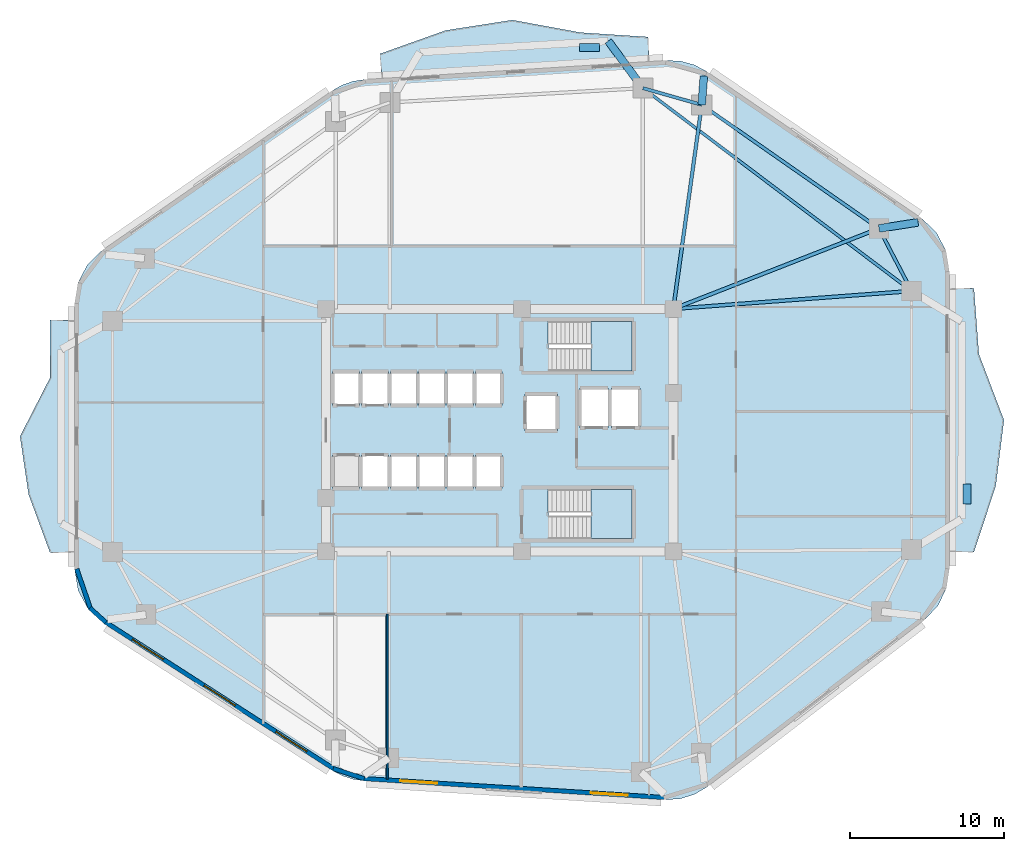
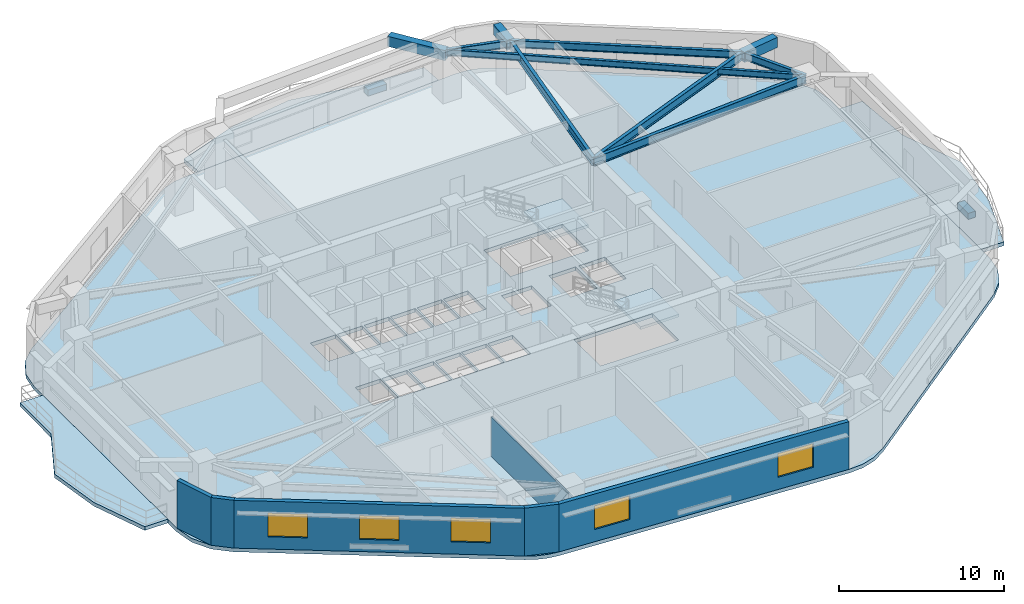
# One storey, part 2 of 10: 10 beams, 6 slabs, 6 walls, 5 windows, 2 plates, 5 openings, 2 elements without a shape of their own.
"""IFC4 building model written with IfcOpenShell, lengths in metres."""

from ifc_helpers import new_model, si_unit, direction, frame, frame_2d, origin, origin_2d, place, context, subcontext, project, spatial, polyline, rectangle, i_section, outline, extrude, material, layer, layer_set, material_profile, profile_set, type_object, element, fill, aggregate, save


model = new_model("IFC4")

# Units and contexts
model_context = context("Model", 3, precision=1e-05, world=origin(), true_north=direction((0.0, 1.0)))
body_context = subcontext(model_context, "Body", "Model", "MODEL_VIEW")
ifc_project = project(units=[si_unit("LENGTHUNIT", "METRE"), si_unit("AREAUNIT", "SQUARE_METRE"), si_unit("VOLUMEUNIT", "CUBIC_METRE"), si_unit("PLANEANGLEUNIT", "RADIAN"), si_unit("MASSUNIT", "GRAM", prefix="KILO")], contexts=[model_context])

# Site, building, storey
site_placement = place(None, origin())
site = spatial("IfcSite", under=ifc_project, at=site_placement, CompositionType="ELEMENT")
building_placement = place(site_placement, origin())
building = spatial("IfcBuilding", under=site, at=building_placement, Name="Zulverin Broadcast Headquarters", CompositionType="ELEMENT")
storey_placement = place(building_placement, frame((0.0, 0.0, 66.800048828125)))
storey = spatial("IfcBuildingStorey", under=building, at=storey_placement, Name="L16", CompositionType="ELEMENT", Elevation=66.800048828125)

# Beams
ifc_material_1 = material(Name="Concrete C40/50", Category="concrete")
ifc_material_profile_1 = material_profile(ifc_material_1, rectangle(XDim=0.5, YDim=0.75, at=origin_2d()), Name="Concrete C40/50", Category="concrete")
ifc_profile_set_1 = profile_set([ifc_material_profile_1], Name="Concrete C40/50")
beam_type_1 = type_object("IfcBeamType", Name="BM-RC-500x750", PredefinedType="BEAM", material=ifc_profile_set_1)
beam_1_placement = place(storey_placement, frame((61.630126953125, 38.298583984375, 3.14990234375), z_axis=(0.988133444256, 0.153597839639, 0.0), x_axis=(-0.153597839639, 0.988133444256, 0.0)))
element("IfcBeam", 1, at=beam_1_placement, inside=storey, type_object=beam_type_1, Name="L17 Plate Overhang Back-Spanned Beam OVR-07", PredefinedType="BEAM", context=body_context, shape_type="SweptSolid", body=[
    extrude(rectangle(XDim=0.5, YDim=0.75, at=origin_2d()), origin(), (0.0, 0.0, 1.0), 2.57177734375),
])
beam_2_placement = place(storey_placement, frame((50.121826171875, 46.325927734375, 3.14990234375), z_axis=(0.073023006252, 0.997330256514, 0.0), x_axis=(-0.997330256514, 0.073023006252, 0.0)))
element("IfcBeam", 2, at=beam_2_placement, inside=storey, type_object=beam_type_1, Name="L17 Plate Overhang Back-Spanned Beam OVR-08", PredefinedType="BEAM", context=body_context, shape_type="SweptSolid", body=[
    extrude(rectangle(XDim=0.5, YDim=0.75, at=origin_2d()), origin(), (0.0, 0.0, 1.0), 1.875732421875),
])
beam_3_placement = place(storey_placement, frame((46.30224609375, 47.4091796875, 3.14990234375), z_axis=(-0.592925064887, 0.805257640404, 0.0), x_axis=(-0.805257640404, -0.592925064887, 0.0)))
element("IfcBeam", 3, at=beam_3_placement, inside=storey, type_object=beam_type_1, Name="L17 Balcony Column-Framed Cantilever BAL_N-1", PredefinedType="BEAM", context=body_context, shape_type="SweptSolid", body=[
    extrude(rectangle(XDim=0.5, YDim=0.75, at=origin_2d()), origin(), (0.0, 0.0, 1.0), 3.800048828125),
])
ifc_material_2 = material(Name="Structural steel S355JR", Category="steel")
ifc_material_profile_2 = material_profile(ifc_material_2, i_section(OverallWidth=0.19287109375, OverallDepth=0.46728515625, WebThickness=0.011474609375, FlangeThickness=0.01953125, at=origin_2d()), Name="Structural steel S355JR", Category="steel")
ifc_profile_set_2 = profile_set([ifc_material_profile_2], Name="Structural steel S355JR")
beam_type_2 = type_object("IfcBeamType", Name="BM-UB-457", PredefinedType="JOIST", material=ifc_profile_set_2)
beam_4_placement = place(storey_placement, frame((63.75, 34.235107421875, 3.291259765625), z_axis=(-0.798058136838, 0.602580459546, 0.0), x_axis=(-0.602580459546, -0.798058136838, 0.0)))
element("IfcBeam", 4, at=beam_4_placement, inside=storey, type_object=beam_type_2, Name="L16 Chordal Floor Joist J-02", PredefinedType="JOIST", context=body_context, shape_type="SweptSolid", body=[
    extrude(i_section(OverallWidth=0.19287109375, OverallDepth=0.46728515625, WebThickness=0.011474609375, FlangeThickness=0.01953125, at=origin_2d()), origin(), (0.0, 0.0, 1.0), 21.86279296875),
])
ifc_material_profile_3 = material_profile(ifc_material_2, i_section(OverallWidth=0.2119140625, OverallDepth=0.54443359375, WebThickness=0.0126953125, FlangeThickness=0.021240234375, at=origin_2d()), Name="Structural steel S355JR", Category="steel")
ifc_profile_set_3 = profile_set([ifc_material_profile_3], Name="Structural steel S355JR")
beam_type_3 = type_object("IfcBeamType", Name="BM-UB-533", PredefinedType="SPANDREL", material=ifc_profile_set_3)
beam_5_placement = place(storey_placement, frame((63.75, 34.235107421875, 3.252685546875), z_axis=(-0.462531417359, 0.886602891917, 0.0), x_axis=(-0.886602891917, -0.462531417359, 0.0)))
element("IfcBeam", 5, at=beam_5_placement, inside=storey, type_object=beam_type_3, Name="L16 Perimeter Spandrel Beam SP-06", PredefinedType="SPANDREL", context=body_context, shape_type="SweptSolid", body=[
    extrude(i_section(OverallWidth=0.2119140625, OverallDepth=0.54443359375, WebThickness=0.0126953125, FlangeThickness=0.021240234375, at=origin_2d()), origin(), (0.0, 0.0, 1.0), 4.583251953125),
])
beam_6_placement = place(storey_placement, frame((61.630126953125, 38.298583984375, 3.252685546875), z_axis=(-0.820183915206, 0.5720999434, 0.0), x_axis=(-0.5720999434, -0.820183915206, 0.0)))
element("IfcBeam", 6, at=beam_6_placement, inside=storey, type_object=beam_type_3, Name="L16 Perimeter Spandrel Beam SP-07", PredefinedType="SPANDREL", context=body_context, shape_type="SweptSolid", body=[
    extrude(i_section(OverallWidth=0.2119140625, OverallDepth=0.54443359375, WebThickness=0.0126953125, FlangeThickness=0.021240234375, at=origin_2d()), origin(), (0.0, 0.0, 1.0), 14.03125),
])
beam_7_placement = place(storey_placement, frame((50.121826171875, 46.325927734375, 3.252685546875), z_axis=(-0.962058150721, 0.272844487999, 0.0), x_axis=(-0.272844487999, -0.962058150721, 0.0)))
element("IfcBeam", 7, at=beam_7_placement, inside=storey, type_object=beam_type_3, Name="L16 Perimeter Spandrel Beam SP-08", PredefinedType="SPANDREL", context=body_context, shape_type="SweptSolid", body=[
    extrude(i_section(OverallWidth=0.2119140625, OverallDepth=0.54443359375, WebThickness=0.0126953125, FlangeThickness=0.021240234375, at=origin_2d()), origin(), (0.0, 0.0, 1.0), 3.97021484375),
])
ifc_material_profile_4 = material_profile(ifc_material_2, i_section(OverallWidth=0.230224609375, OverallDepth=0.6171875, WebThickness=0.01318359375, FlangeThickness=0.022216796875, at=origin_2d()), Name="Structural steel S355JR", Category="steel")
ifc_profile_set_4 = profile_set([ifc_material_profile_4], Name="Structural steel S355JR")
beam_type_4 = type_object("IfcBeamType", Name="BM-UB-610", PredefinedType="BEAM", material=ifc_profile_set_4)
beam_8_placement = place(storey_placement, frame((48.27490234375, 33.074951171875, 3.21630859375), z_axis=(0.997201597387, 0.074759442003, 0.0), x_axis=(-0.074759442003, 0.997201597387, 0.0)))
element("IfcBeam", 8, at=beam_8_placement, inside=storey, type_object=beam_type_4, Name="L16 Radial Primary Floor Beam RB-06", PredefinedType="BEAM", context=body_context, shape_type="SweptSolid", body=[
    extrude(i_section(OverallWidth=0.230224609375, OverallDepth=0.6171875, WebThickness=0.01318359375, FlangeThickness=0.022216796875, at=origin_2d()), origin(), (0.0, 0.0, 1.0), 15.5185546875),
])
beam_9_placement = place(storey_placement, frame((48.27490234375, 33.074951171875, 3.21630859375), z_axis=(0.931297778153, 0.364258765723, 0.0), x_axis=(-0.364258765723, 0.931297778153, 0.0)))
element("IfcBeam", 9, at=beam_9_placement, inside=storey, type_object=beam_type_4, Name="L16 Radial Primary Floor Beam RB-07", PredefinedType="BEAM", context=body_context, shape_type="SweptSolid", body=[
    extrude(i_section(OverallWidth=0.230224609375, OverallDepth=0.6171875, WebThickness=0.01318359375, FlangeThickness=0.022216796875, at=origin_2d()), origin(), (0.0, 0.0, 1.0), 14.34033203125),
])
beam_10_placement = place(storey_placement, frame((48.27490234375, 33.074951171875, 3.21630859375), z_axis=(0.138045758193, 0.990425852169, 0.0), x_axis=(-0.990425852169, 0.138045758193, 0.0)))
element("IfcBeam", 10, at=beam_10_placement, inside=storey, type_object=beam_type_4, Name="L16 Radial Primary Floor Beam RB-08", PredefinedType="BEAM", context=body_context, shape_type="SweptSolid", body=[
    extrude(i_section(OverallWidth=0.230224609375, OverallDepth=0.6171875, WebThickness=0.01318359375, FlangeThickness=0.022216796875, at=origin_2d()), origin(), (0.0, 0.0, 1.0), 13.379150390625),
])

# Plates
ifc_material_3 = material(Name="Precast concrete C45/55", Category="concrete")
ifc_layer_1 = layer(ifc_material_3, 0.449951171875, Name="Precast concrete C45/55", Category="concrete")
ifc_layer_set_1 = layer_set([ifc_layer_1], Name="Precast concrete C45/55")
plate_type = type_object("IfcPlateType", Name="PT-01_PRECAST_GFRC_TREE_PLANTER", PredefinedType="USERDEFINED", material=ifc_layer_set_1)
for number, where, z_axis, x_axis, name in (
    (11, (67.35009765625, 21.05224609375, -0.0048828125), (0.0, 0.0, 1.0), (0.0, 1.0, 0.0), "L16 Precast GFRC Tree Planter BAL_E"),
    (12, (42.825927734375, 50.04638671875, -0.0048828125), (0.0, 0.0, 1.0), (1.0, 0.0, 0.0), "L16 Precast GFRC Tree Planter BAL_N"),
):
    element("IfcPlate", number, at=place(storey_placement, frame(where, z_axis=z_axis, x_axis=x_axis)), inside=storey, type_object=plate_type, Name=name, ObjectType="PLANTER", PredefinedType="USERDEFINED", context=body_context, shape_type="SweptSolid", body=[
        extrude(rectangle(XDim=1.300048828125, YDim=0.5, at=origin_2d()), origin(), (0.0, 0.0, 1.0), 0.449951171875),
    ])

# Slabs
ifc_layer_2 = layer(ifc_material_1, 0.27490234375, Name="Concrete C40/50", Category="concrete")
ifc_layer_set_2 = layer_set([ifc_layer_2], Name="Concrete C40/50")
slab_type_1 = type_object("IfcSlabType", Name="SLB-BAL-275", PredefinedType="FLOOR", material=ifc_layer_set_2)
slab_1_placement = place(storey_placement, frame((0.0, 0.0, -0.275146484375)))
element("IfcSlab", 13, at=slab_1_placement, inside=storey, type_object=slab_type_1, Name="L16 Cantilevered Planted Balcony Slab BAL_E", PredefinedType="FLOOR", context=body_context, shape_type="SweptSolid", body=[
    extrude(outline(polyline([(66.199951171875, 34.41455078125), (66.199951171875, 17.283447265625), (67.800048828125, 17.283447265625), (69.211181640625, 21.566162109375), (69.75, 25.848876953125), (68.121337890625, 30.131591796875), (67.800048828125, 34.41455078125), (66.199951171875, 34.41455078125)])), origin(), (0.0, 0.0, 1.0), 0.275146484375),
])
slab_2_placement = place(storey_placement, frame((0.0, 0.0, -0.275146484375)))
element("IfcSlab", 14, at=slab_2_placement, inside=storey, type_object=slab_type_1, Name="L16 Cantilevered Planted Balcony Slab BAL_N", PredefinedType="FLOOR", context=body_context, shape_type="SweptSolid", body=[
    extrude(outline(polyline([(29.330078125, 48.04296875), (46.72509765625, 49.139892578125), (46.62451171875, 50.73681640625), (42.240478515625, 51.0224609375), (37.8232421875, 51.8349609375), (33.49951171875, 51.160888671875), (29.2294921875, 49.639892578125), (29.330078125, 48.04296875)])), origin(), (0.0, 0.0, 1.0), 0.275146484375),
])
slab_3_placement = place(storey_placement, frame((0.0, 0.0, -0.275146484375)))
element("IfcSlab", 15, at=slab_3_placement, inside=storey, type_object=slab_type_1, Name="L16 Cantilevered Planted Balcony Slab BAL_W", PredefinedType="FLOOR", context=body_context, shape_type="SweptSolid", body=[
    extrude(outline(polyline([(9.39990234375, 17.24365234375), (9.39990234375, 32.344482421875), (7.800048828125, 32.344482421875), (7.78515625, 28.569091796875), (5.85009765625, 24.7939453125), (6.40869140625, 21.018798828125), (7.800048828125, 17.24365234375), (9.39990234375, 17.24365234375)])), origin(), (0.0, 0.0, 1.0), 0.275146484375),
])

# Stair, slab
stair_type = type_object("IfcStairType", Name="ST-CORE-1500", PredefinedType="HALF_TURN_STAIR", material=ifc_material_1)
stair_1_placement = place(storey_placement, origin())
stair_1 = element("IfcStair", 16, at=stair_1_placement, inside=storey, type_object=stair_type, Name="L16 Core Exit Stair ST-1", PredefinedType="HALF_TURN_STAIR")
ifc_layer_3 = layer(ifc_material_1, 0.199951171875, Name="Concrete C40/50", Category="concrete")
ifc_layer_set_3 = layer_set([ifc_layer_3], Name="Concrete C40/50")
slab_type_2 = type_object("IfcSlabType", Name="SLB-ST-LND200", PredefinedType="LANDING", material=ifc_layer_set_3)
slab_4_placement = place(storey_placement, frame((0.0, 0.0, 1.699951171875)))
slab_4 = element("IfcSlab", 17, at=slab_4_placement, type_object=slab_type_2, Name="ST-1 landing 1", PredefinedType="LANDING", context=body_context, shape_type="SweptSolid", body=[
    extrude(outline(polyline([(42.929931640625, 29.050048828125), (45.60009765625, 29.050048828125), (45.60009765625, 32.25), (42.929931640625, 32.25), (42.929931640625, 29.050048828125)])), origin(), (0.0, 0.0, 1.0), 0.199951171875),
])
aggregate(stair_1, [slab_4])

stair_2_placement = place(storey_placement, origin())
stair_2 = element("IfcStair", 18, at=stair_2_placement, inside=storey, type_object=stair_type, Name="L16 Core Exit Stair ST-2", PredefinedType="HALF_TURN_STAIR")
slab_5_placement = place(storey_placement, frame((0.0, 0.0, 1.699951171875)))
slab_5 = element("IfcSlab", 19, at=slab_5_placement, type_object=slab_type_2, Name="ST-2 landing 1", PredefinedType="LANDING", context=body_context, shape_type="SweptSolid", body=[
    extrude(outline(polyline([(42.929931640625, 18.14990234375), (45.60009765625, 18.14990234375), (45.60009765625, 21.35009765625), (42.929931640625, 21.35009765625), (42.929931640625, 18.14990234375)])), origin(), (0.0, 0.0, 1.0), 0.199951171875),
])
aggregate(stair_2, [slab_5])

# Slab
ifc_layer_4 = layer(ifc_material_1, 0.27490234375, Name="Concrete C40/50", Category="concrete")
ifc_layer_set_4 = layer_set([ifc_layer_4], Name="Concrete C40/50")
slab_type_3 = type_object("IfcSlabType", Name="SLB-TWR-275", PredefinedType="FLOOR", material=ifc_layer_set_4)
slab_6_placement = place(storey_placement, frame((0.0, 0.0, -0.275146484375)))
element("IfcSlab", 20, at=slab_6_placement, inside=storey, type_object=slab_type_3, Name="L16 Main Structural Floor Slab", PredefinedType="FLOOR", context=body_context, shape_type="SweptSolid", body=[
    extrude(outline(polyline([(26.146484375, 3.089599609375), (26.774658203125, 2.75732421875), (27.44970703125, 2.535888671875), (28.152587890625, 2.431396484375), (47.690673828125, 1.19921875), (48.69189453125, 1.256103515625), (49.6513671875, 1.548828125), (50.51416015625, 2.060546875), (64.55908203125, 12.85302734375), (65.44140625, 13.77587890625), (66.005859375, 14.92138671875), (66.199951171875, 16.183349609375), (66.199951171875, 35.514404296875), (65.981689453125, 36.85107421875), (65.349365234375, 38.048583984375), (64.368896484375, 38.982666015625), (50.456298828125, 48.485595703125), (49.639404296875, 48.920166015625), (48.747314453125, 49.165283203125), (47.822998046875, 49.208984375), (28.232421875, 47.9736328125), (27.481201171875, 47.857421875), (26.76318359375, 47.607666015625), (26.102294921875, 47.232666015625), (11.20556640625, 36.89501953125), (10.238037109375, 35.9619140625), (9.614990234375, 34.77099609375), (9.39990234375, 33.4443359375), (9.39990234375, 16.1435546875), (9.631103515625, 14.769775390625), (10.298583984375, 13.547119140625), (11.32958984375, 12.610107421875), (26.146484375, 3.089599609375)]), holes=[polyline([(40.155029296875, 30.75), (40.130126953125, 30.75), (40.130126953125, 32.25), (45.60009765625, 32.25), (45.60009765625, 29.050048828125), (40.155029296875, 29.050048828125), (40.155029296875, 30.75)]), polyline([(40.155029296875, 19.85009765625), (40.130126953125, 19.85009765625), (40.130126953125, 21.35009765625), (45.60009765625, 21.35009765625), (45.60009765625, 18.14990234375), (40.155029296875, 18.14990234375), (40.155029296875, 19.85009765625)]), polyline([(26.14990234375, 26.800048828125), (27.89990234375, 26.800048828125), (27.89990234375, 29.0), (26.14990234375, 29.0), (26.14990234375, 26.800048828125)]), polyline([(28.02001953125, 26.800048828125), (29.77001953125, 26.800048828125), (29.77001953125, 29.0), (28.02001953125, 29.0), (28.02001953125, 26.800048828125)]), polyline([(26.14990234375, 21.39990234375), (27.89990234375, 21.39990234375), (27.89990234375, 23.60009765625), (26.14990234375, 23.60009765625), (26.14990234375, 21.39990234375)]), polyline([(28.02001953125, 21.39990234375), (29.77001953125, 21.39990234375), (29.77001953125, 23.60009765625), (28.02001953125, 23.60009765625), (28.02001953125, 21.39990234375)]), polyline([(29.89990234375, 21.39990234375), (31.6201171875, 21.39990234375), (31.6201171875, 23.60009765625), (29.89990234375, 23.60009765625), (29.89990234375, 21.39990234375)]), polyline([(31.739990234375, 21.39990234375), (33.4599609375, 21.39990234375), (33.4599609375, 23.60009765625), (31.739990234375, 23.60009765625), (31.739990234375, 21.39990234375)]), polyline([(33.580078125, 21.39990234375), (35.300048828125, 21.39990234375), (35.300048828125, 23.60009765625), (33.580078125, 23.60009765625), (33.580078125, 21.39990234375)]), polyline([(35.419921875, 21.39990234375), (37.139892578125, 21.39990234375), (37.139892578125, 23.60009765625), (35.419921875, 23.60009765625), (35.419921875, 21.39990234375)]), polyline([(29.89990234375, 26.800048828125), (31.6201171875, 26.800048828125), (31.6201171875, 29.0), (29.89990234375, 29.0), (29.89990234375, 26.800048828125)]), polyline([(31.739990234375, 26.800048828125), (33.4599609375, 26.800048828125), (33.4599609375, 29.0), (31.739990234375, 29.0), (31.739990234375, 26.800048828125)]), polyline([(33.580078125, 26.800048828125), (35.300048828125, 26.800048828125), (35.300048828125, 29.0), (33.580078125, 29.0), (33.580078125, 26.800048828125)]), polyline([(35.419921875, 26.800048828125), (37.139892578125, 26.800048828125), (37.139892578125, 29.0), (35.419921875, 29.0), (35.419921875, 26.800048828125)]), polyline([(42.199951171875, 25.35009765625), (44.050048828125, 25.35009765625), (44.050048828125, 27.949951171875), (42.199951171875, 27.949951171875), (42.199951171875, 25.35009765625)]), polyline([(44.25, 25.35009765625), (46.10009765625, 25.35009765625), (46.10009765625, 27.949951171875), (44.25, 27.949951171875), (44.25, 25.35009765625)]), polyline([(38.64990234375, 25.14990234375), (40.75, 25.14990234375), (40.75, 27.550048828125), (38.64990234375, 27.550048828125), (38.64990234375, 25.14990234375)])]), origin(), (0.0, 0.0, 1.0), 0.275146484375),
])

# Wall, openings, windows
ifc_material_4 = material(Name="Insulated pale-metal clad concrete spandrel C40/50", Category="concrete")
ifc_layer_5 = layer(ifc_material_4, 0.280029296875, Name="Insulated pale-metal clad concrete spandrel C40/50", Category="concrete")
ifc_layer_set_5 = layer_set([ifc_layer_5], Name="Insulated pale-metal clad concrete spandrel C40/50")
wall_type_1 = type_object("IfcWallType", Name="WL-EXT-280", PredefinedType="STANDARD", material=ifc_layer_set_5)
wall_1_placement = place(storey_placement, frame((28.161376953125, 2.571044921875, 0.0), z_axis=(0.0, 0.0, 1.0), x_axis=(0.998017288298, -0.06294038654, 0.0)))
wall_1 = element("IfcWall", 21, at=wall_1_placement, inside=storey, type_object=wall_type_1, Name="L16 Pale-Metal Clad Spandrel Wall 1", PredefinedType="STANDARD", context=body_context, shape_type="SweptSolid", body=[
    extrude(rectangle(XDim=19.576904296875, YDim=0.280029296875, at=frame_2d((9.78857421875, 0.0))), origin(), (0.0, 0.0, 1.0), 3.52490234375),
])
opening_1_placement = place(wall_1_placement, frame((2.396240234375, 0.0, 0.89990234375)))
opening_1 = element("IfcOpeningElement", 22, at=opening_1_placement, cuts=wall_1, Name="Opening W-L16-E11", PredefinedType="OPENING", context=body_context, shape_type="SweptSolid", body=[
    extrude(rectangle(XDim=2.39990234375, YDim=1.75, at=frame_2d((1.199951171875, 0.875))), frame((0.0, 0.14990234375, 0.0), z_axis=(0.0, -1.0, 0.0), x_axis=(1.0, 0.0, 0.0)), (0.0, 0.0, 1.0), 0.300048828125),
])
opening_2_placement = place(wall_1_placement, frame((14.78076171875, 0.0, 0.89990234375)))
opening_2 = element("IfcOpeningElement", 23, at=opening_2_placement, cuts=wall_1, Name="Opening W-L16-E12", PredefinedType="OPENING", context=body_context, shape_type="SweptSolid", body=[
    extrude(rectangle(XDim=2.39990234375, YDim=1.75, at=frame_2d((1.199951171875, 0.875))), frame((0.0, 0.14990234375, 0.0), z_axis=(0.0, -1.0, 0.0), x_axis=(1.0, 0.0, 0.0)), (0.0, 0.0, 1.0), 0.300048828125),
])
ifc_material_5 = material(Name="Pale anodized aluminium frame with solar-control low-E double glazing", Category="aluminium")
window_type = type_object("IfcWindowType", Name="WIN-RIB-2400", PartitioningType="SINGLE_PANEL", PredefinedType="WINDOW", material=ifc_material_5)
window_1_placement = place(opening_1_placement, origin())
window_1 = element("IfcWindow", 24, at=window_1_placement, inside=storey, type_object=window_type, Name="L16 Ribbon Glazing Window 1 1", OverallHeight=1.75, OverallWidth=2.39990234375, PartitioningType="SINGLE_PANEL", PredefinedType="WINDOW", context=body_context, shape_type="SweptSolid", body=[
    extrude(rectangle(XDim=2.39990234375, YDim=1.75, at=frame_2d((1.199951171875, 0.875))), frame((0.0, 0.030029296875, 0.0), z_axis=(0.0, -1.0, 0.0), x_axis=(1.0, 0.0, 0.0)), (0.0, 0.0, 1.0), 0.06005859375),
])
fill(opening_1, window_1)
window_2_placement = place(opening_2_placement, origin())
window_2 = element("IfcWindow", 25, at=window_2_placement, inside=storey, type_object=window_type, Name="L16 Ribbon Glazing Window 1 2", OverallHeight=1.75, OverallWidth=2.39990234375, PartitioningType="SINGLE_PANEL", PredefinedType="WINDOW", context=body_context, shape_type="SweptSolid", body=[
    extrude(rectangle(XDim=2.39990234375, YDim=1.75, at=frame_2d((1.199951171875, 0.875))), frame((0.0, 0.030029296875, 0.0), z_axis=(0.0, -1.0, 0.0), x_axis=(1.0, 0.0, 0.0)), (0.0, 0.0, 1.0), 0.06005859375),
])
fill(opening_2, window_2)

wall_2_placement = place(storey_placement, frame((11.4052734375, 12.727783203125, 0.0), z_axis=(0.0, 0.0, 1.0), x_axis=(0.841304564637, -0.540561402175, 0.0)))
wall_2 = element("IfcWall", 26, at=wall_2_placement, inside=storey, type_object=wall_type_1, Name="L16 Pale-Metal Clad Spandrel Wall 8", PredefinedType="STANDARD", context=body_context, shape_type="SweptSolid", body=[
    extrude(rectangle(XDim=17.61181640625, YDim=0.280029296875, at=frame_2d((8.805908203125, 0.0))), origin(), (0.0, 0.0, 1.0), 3.52490234375),
])
opening_3_placement = place(wall_2_placement, frame((2.068603515625, 0.0, 0.89990234375)))
opening_3 = element("IfcOpeningElement", 27, at=opening_3_placement, cuts=wall_2, Name="Opening W-L16-E81", PredefinedType="OPENING", context=body_context, shape_type="SweptSolid", body=[
    extrude(rectangle(XDim=2.39990234375, YDim=1.75, at=frame_2d((1.199951171875, 0.875))), frame((0.0, 0.14990234375, 0.0), z_axis=(0.0, -1.0, 0.0), x_axis=(1.0, 0.0, 0.0)), (0.0, 0.0, 1.0), 0.300048828125),
])
opening_4_placement = place(wall_2_placement, frame((7.60595703125, 0.0, 0.89990234375)))
opening_4 = element("IfcOpeningElement", 28, at=opening_4_placement, cuts=wall_2, Name="Opening W-L16-E82", PredefinedType="OPENING", context=body_context, shape_type="SweptSolid", body=[
    extrude(rectangle(XDim=2.39990234375, YDim=1.75, at=frame_2d((1.199951171875, 0.875))), frame((0.0, 0.14990234375, 0.0), z_axis=(0.0, -1.0, 0.0), x_axis=(1.0, 0.0, 0.0)), (0.0, 0.0, 1.0), 0.300048828125),
])
opening_5_placement = place(wall_2_placement, frame((13.143310546875, 0.0, 0.89990234375)))
opening_5 = element("IfcOpeningElement", 29, at=opening_5_placement, cuts=wall_2, Name="Opening W-L16-E83", PredefinedType="OPENING", context=body_context, shape_type="SweptSolid", body=[
    extrude(rectangle(XDim=2.39990234375, YDim=1.75, at=frame_2d((1.199951171875, 0.875))), frame((0.0, 0.14990234375, 0.0), z_axis=(0.0, -1.0, 0.0), x_axis=(1.0, 0.0, 0.0)), (0.0, 0.0, 1.0), 0.300048828125),
])
window_3_placement = place(opening_3_placement, origin())
window_3 = element("IfcWindow", 30, at=window_3_placement, inside=storey, type_object=window_type, Name="L16 Ribbon Glazing Window 8 1", OverallHeight=1.75, OverallWidth=2.39990234375, PartitioningType="SINGLE_PANEL", PredefinedType="WINDOW", context=body_context, shape_type="SweptSolid", body=[
    extrude(rectangle(XDim=2.39990234375, YDim=1.75, at=frame_2d((1.199951171875, 0.875))), frame((0.0, 0.030029296875, 0.0), z_axis=(0.0, -1.0, 0.0), x_axis=(1.0, 0.0, 0.0)), (0.0, 0.0, 1.0), 0.06005859375),
])
fill(opening_3, window_3)
window_4_placement = place(opening_4_placement, origin())
window_4 = element("IfcWindow", 31, at=window_4_placement, inside=storey, type_object=window_type, Name="L16 Ribbon Glazing Window 8 2", OverallHeight=1.75, OverallWidth=2.39990234375, PartitioningType="SINGLE_PANEL", PredefinedType="WINDOW", context=body_context, shape_type="SweptSolid", body=[
    extrude(rectangle(XDim=2.39990234375, YDim=1.75, at=frame_2d((1.199951171875, 0.875))), frame((0.0, 0.030029296875, 0.0), z_axis=(0.0, -1.0, 0.0), x_axis=(1.0, 0.0, 0.0)), (0.0, 0.0, 1.0), 0.06005859375),
])
fill(opening_4, window_4)
window_5_placement = place(opening_5_placement, origin())
window_5 = element("IfcWindow", 32, at=window_5_placement, inside=storey, type_object=window_type, Name="L16 Ribbon Glazing Window 8 3", OverallHeight=1.75, OverallWidth=2.39990234375, PartitioningType="SINGLE_PANEL", PredefinedType="WINDOW", context=body_context, shape_type="SweptSolid", body=[
    extrude(rectangle(XDim=2.39990234375, YDim=1.75, at=frame_2d((1.199951171875, 0.875))), frame((0.0, 0.030029296875, 0.0), z_axis=(0.0, -1.0, 0.0), x_axis=(1.0, 0.0, 0.0)), (0.0, 0.0, 1.0), 0.06005859375),
])
fill(opening_5, window_5)

# Walls
wall_3_placement = place(storey_placement, frame((9.5322265625, 16.189453125, 0.0), z_axis=(0.0, 0.0, 1.0), x_axis=(0.32708309668, -0.944995580871, 0.0)))
element("IfcWall", 33, at=wall_3_placement, inside=storey, type_object=wall_type_1, Name="L16 Wind-Shaped Corner Spandrel Wall 7-1", PredefinedType="STANDARD", context=body_context, shape_type="SweptSolid", body=[
    extrude(rectangle(XDim=2.74755859375, YDim=0.280029296875, at=frame_2d((1.373779296875, 0.0))), origin(), (0.0, 0.0, 1.0), 3.52490234375),
])
wall_4_placement = place(storey_placement, frame((10.392822265625, 13.650634765625, 0.0), z_axis=(0.0, 0.0, 1.0), x_axis=(0.74003521851, -0.672568119498, 0.0)))
element("IfcWall", 34, at=wall_4_placement, inside=storey, type_object=wall_type_1, Name="L16 Wind-Shaped Corner Spandrel Wall 7-2", PredefinedType="STANDARD", context=body_context, shape_type="SweptSolid", body=[
    extrude(rectangle(XDim=1.39306640625, YDim=0.280029296875, at=frame_2d((0.696533203125, 0.0))), origin(), (0.0, 0.0, 1.0), 3.52490234375),
])
wall_5_placement = place(storey_placement, frame((26.18994140625, 3.22265625, 0.0), z_axis=(0.0, 0.0, 1.0), x_axis=(0.95016442175, -0.311749212734, 0.0)))
element("IfcWall", 35, at=wall_5_placement, inside=storey, type_object=wall_type_1, Name="L16 Wind-Shaped Corner Spandrel Wall 8-1", PredefinedType="STANDARD", context=body_context, shape_type="SweptSolid", body=[
    extrude(rectangle(XDim=2.111328125, YDim=0.280029296875, at=frame_2d((1.0556640625, 0.0))), origin(), (0.0, 0.0, 1.0), 3.52490234375),
])
ifc_material_6 = material(Name="Fire-rated acoustic laminated glass screen", Category="glass")
ifc_layer_6 = layer(ifc_material_6, 0.10009765625, Name="Fire-rated acoustic laminated glass screen", Category="glass")
ifc_layer_set_6 = layer_set([ifc_layer_6], Name="Fire-rated acoustic laminated glass screen")
wall_type_2 = type_object("IfcWallType", Name="WL-GLAZ-100", PredefinedType="PARTITIONING", material=ifc_layer_set_6)
wall_6_placement = place(storey_placement, frame((29.699951171875, 2.538818359375, 0.0), z_axis=(0.0, 0.0, 1.0), x_axis=(0.0, 1.0, 0.0)))
element("IfcWall", 36, at=wall_6_placement, inside=storey, type_object=wall_type_2, Name="L16 Room Partition Wall RP-05", PredefinedType="PARTITIONING", context=body_context, shape_type="SweptSolid", body=[
    extrude(rectangle(XDim=10.711181640625, YDim=0.10009765625, at=frame_2d((5.35546875, 0.0))), origin(), (0.0, 0.0, 1.0), 2.90771484375),
])

save(model, "model.ifc")
